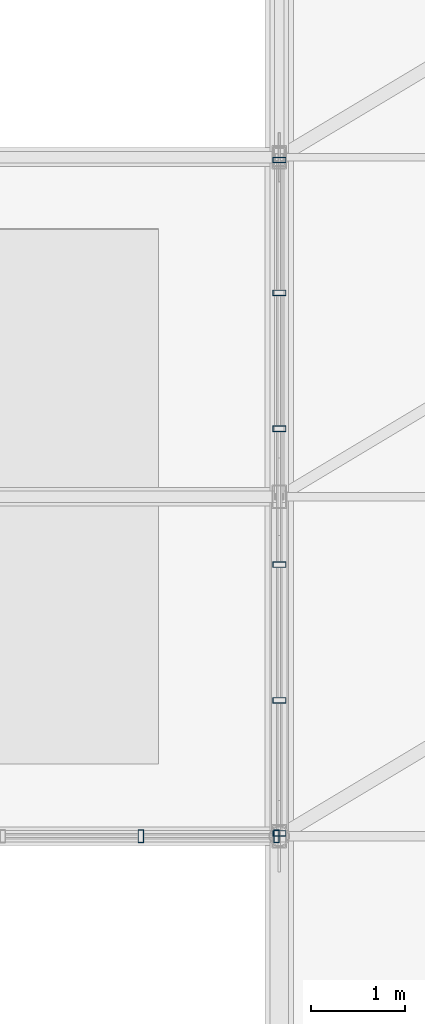
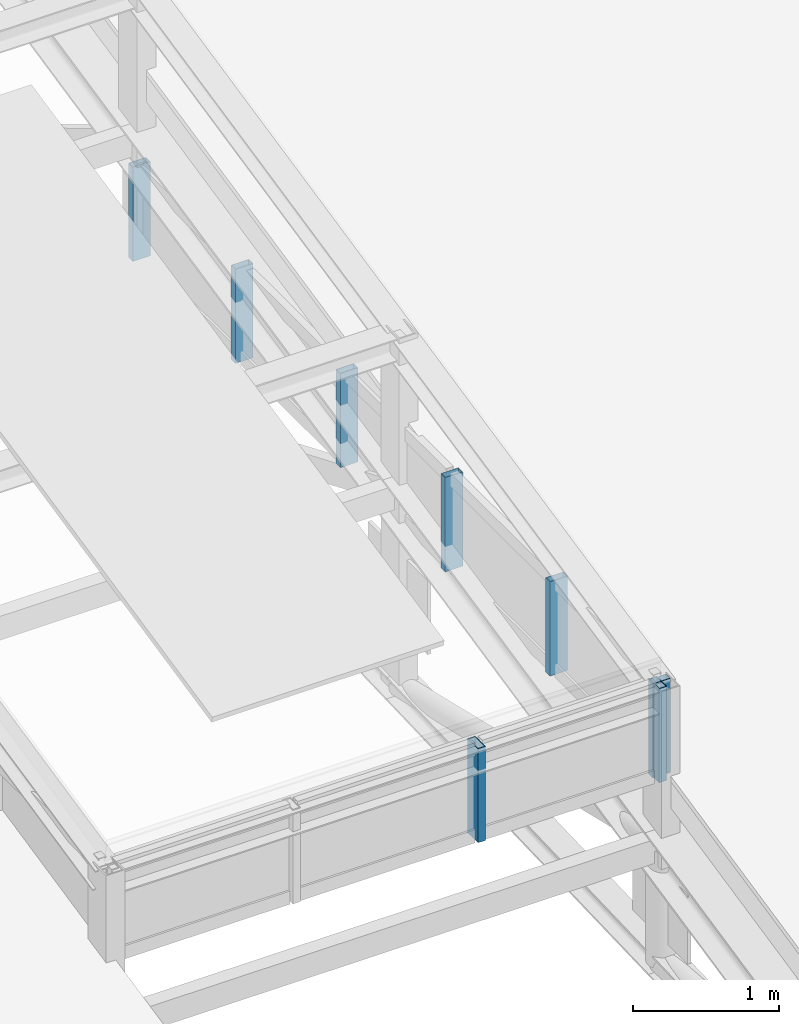
# One storey, part 75 of 124: 8 members, 2 elements without a shape of their own.
"""IFC4 building model written with IfcOpenShell, lengths in metres."""

import ifcopenshell
import ifcopenshell.guid

model = None  # the IFC model being written
_history = None  # IfcOwnerHistory: only IFC2X3 demands one
_inside = {}  # id of a spatial element -> (the spatial element, [elements in it])
_under = {}  # id of a project, library or spatial element -> (it, [spatial elements below it])
_declared = {}  # id of a project -> (the project, [libraries it declares])
_typed = {}  # id of a type object -> (the type object, [elements of that type])
_made_of = {}  # id of a material, layer set ... -> (it, [elements and type objects made of it])


def new_model(schema):
    """Start an empty IFC model of exactly this schema.

    Asked for "IFC4X3", IfcOpenShell would pick the latest addendum, in which some entities
    have other attributes; the version numbers below select the first issue.
    IFC2X3 requires an IfcOwnerHistory on every rooted entity: one is made here for all.
    """
    global model, _history
    if schema == "IFC4X3":
        model = ifcopenshell.file(schema_version=(4, 3, 0, 0))
    else:
        model = ifcopenshell.file(schema=schema)
    _inside.clear()
    _under.clear()
    _declared.clear()
    _typed.clear()
    _made_of.clear()
    _history = None
    if model.schema == "IFC2X3":
        org = make("IfcOrganization", Name="unknown")
        user = make(
            "IfcPersonAndOrganization",
            ThePerson=make("IfcPerson", FamilyName="unknown"),
            TheOrganization=org,
        )
        app = make(
            "IfcApplication",
            ApplicationDeveloper=org,
            Version="unknown",
            ApplicationFullName="unknown",
            ApplicationIdentifier="unknown",
        )
        _history = make(
            "IfcOwnerHistory",
            OwningUser=user,
            OwningApplication=app,
            ChangeAction="ADDED",
            CreationDate=0,
        )
    return model


def make(cls, **values):
    """One entity of the class cls with the attributes given. An attribute that is None is left unset."""
    return model.create_entity(
        cls, **{name: value for name, value in values.items() if value is not None}
    )


def rooted(cls, **values):
    """An entity with a GlobalId (a new one), such as an element, a storey or a relation."""
    return make(cls, GlobalId=ifcopenshell.guid.new(), OwnerHistory=_history, **values)


def si_unit(unit_type, name, prefix=None):
    """IfcSIUnit, for example si_unit("LENGTHUNIT", "METRE", prefix="MILLI")."""
    return make("IfcSIUnit", UnitType=unit_type, Prefix=prefix, Name=name)


def assignment(units):
    """IfcUnitAssignment: the units of a project."""
    return None if units is None else make("IfcUnitAssignment", Units=units)


def point(xyz):
    """IfcCartesianPoint."""
    return None if xyz is None else make("IfcCartesianPoint", Coordinates=xyz)


def direction(xyz):
    """IfcDirection."""
    return None if xyz is None else make("IfcDirection", DirectionRatios=xyz)


def frame(location, z_axis=None, x_axis=None):
    """IfcAxis2Placement3D, a coordinate frame: its origin and axes. An axis left out is left unset."""
    return make(
        "IfcAxis2Placement3D",
        Location=point(location),
        Axis=direction(z_axis),
        RefDirection=direction(x_axis),
    )


def frame_2d(location, x_axis=None):
    """IfcAxis2Placement2D, a coordinate frame in the plane: its origin and x axis."""
    return make(
        "IfcAxis2Placement2D", Location=point(location), RefDirection=direction(x_axis)
    )


def origin():
    """The frame at (0, 0, 0) with its axes left unset."""
    return frame((0.0, 0.0, 0.0))


def origin_2d():
    """The frame at (0, 0) in the plane with its x axis left unset."""
    return frame_2d((0.0, 0.0))


def place(relative_to, where):
    """IfcLocalPlacement: puts the frame where relative to a parent placement (None: the world)."""
    return make(
        "IfcLocalPlacement", PlacementRelTo=relative_to, RelativePlacement=where
    )


def context(
    kind, dimensions, precision=None, world=None, true_north=None, identifier=None
):
    """IfcGeometricRepresentationContext, for example the 3D "Model" context."""
    return make(
        "IfcGeometricRepresentationContext",
        ContextIdentifier=identifier,
        ContextType=kind,
        CoordinateSpaceDimension=dimensions,
        Precision=precision,
        WorldCoordinateSystem=world,
        TrueNorth=true_north,
    )


def subcontext(parent, identifier, kind, view, scale=None):
    """IfcGeometricRepresentationSubContext, for example "Body" below "Model"."""
    return make(
        "IfcGeometricRepresentationSubContext",
        ContextIdentifier=identifier,
        ContextType=kind,
        ParentContext=parent,
        TargetScale=scale,
        TargetView=view,
    )


def project(units=None, contexts=None):
    """IfcProject with its units and contexts."""
    return rooted(
        "IfcProject",
        Name="project",
        RepresentationContexts=contexts,
        UnitsInContext=assignment(units),
    )


def spatial(cls, under=None, at=None, **own):
    """A site, building, storey or space (cls), placed at a placement, below another one or the project."""
    s = rooted(cls, ObjectPlacement=at, **own)
    if under is not None:
        _under.setdefault(under.id(), (under, []))[1].append(s)
    return s


def profile(cls, at=None, kind="AREA", **sizes):
    """A parametric profile (cls). Its sizes go by their IFC names, for example OverallWidth=200.0."""
    return make(cls, ProfileType=kind, Position=at, **sizes)


def hollow_rectangle(**sizes):
    """IfcRectangleHollowProfileDef."""
    return profile("IfcRectangleHollowProfileDef", **sizes)


def extrude(swept, where, along, depth):
    """IfcExtrudedAreaSolid: the profile swept, set in the frame where, extruded along a direction by depth."""
    return make(
        "IfcExtrudedAreaSolid",
        SweptArea=swept,
        Position=where,
        ExtrudedDirection=direction(along),
        Depth=depth,
    )


def shape(context_of_items, identifier, shape_type, items):
    """IfcShapeRepresentation: the items that make up one representation, for example the "Body"."""
    return make(
        "IfcShapeRepresentation",
        ContextOfItems=context_of_items,
        RepresentationIdentifier=identifier,
        RepresentationType=shape_type,
        Items=items,
    )


def material(Name=None, Category=None):
    """IfcMaterial."""
    return make("IfcMaterial", Name=Name, Category=Category)


def layer(
    of_material, thickness, ventilated=None, Name=None, Category=None, Priority=None
):
    """IfcMaterialLayer: one layer of a wall or slab, of a material (None: an air gap)."""
    return make(
        "IfcMaterialLayer",
        Material=of_material,
        LayerThickness=thickness,
        IsVentilated=ventilated,
        Name=Name,
        Category=Category,
        Priority=Priority,
    )


def layer_set(layers, Name=None):
    """IfcMaterialLayerSet."""
    return make("IfcMaterialLayerSet", MaterialLayers=layers, LayerSetName=Name)


def material_profile(
    of_material, cross_section, Name=None, Category=None, Priority=None
):
    """IfcMaterialProfile: a cross section and its material."""
    return make(
        "IfcMaterialProfile",
        Name=Name,
        Material=of_material,
        Profile=cross_section,
        Priority=Priority,
        Category=Category,
    )


def profile_set(profiles, Name=None, composite=None):
    """IfcMaterialProfileSet."""
    return make(
        "IfcMaterialProfileSet",
        Name=Name,
        MaterialProfiles=profiles,
        CompositeProfile=composite,
    )


def made_of(thing, what):
    """Note that an element or type object is made of a material, layer set ...; save() writes the relation."""
    if what is not None:
        _made_of.setdefault(what.id(), (what, []))[1].append(thing)
    return thing


def type_object(cls, material=None, **own):
    """A type object (cls), such as IfcWallType, which elements share."""
    return made_of(rooted(cls, **own), material)


def element(
    cls,
    number,
    at=None,
    inside=None,
    cuts=None,
    type_object=None,
    material=None,
    context=None,
    identifier="Body",
    shape_type=None,
    held_by="IfcProductDefinitionShape",
    body=None,
    shapes=None,
    **own,
):
    """One element of the class cls, such as IfcWall. Its Tag is "e" and its number.

    at: its placement. inside: the storey or other place that contains it. cuts: it is an
    opening in that element (IfcRelVoidsElement). A single representation is given by context,
    identifier, shape_type and body (its items); several are given by shapes. held_by: the class
    of the entity that holds the representations. save() writes the other relations.
    """
    e = rooted(cls, Tag="e%d" % number, ObjectPlacement=at, **own)
    if body is not None:
        shapes = [shape(context, identifier, shape_type, body)]
    if shapes is not None:
        e.Representation = make(held_by, Representations=shapes)
    if inside is not None:
        _inside.setdefault(inside.id(), (inside, []))[1].append(e)
    if cuts is not None:
        rooted(
            "IfcRelVoidsElement", RelatingBuildingElement=cuts, RelatedOpeningElement=e
        )
    if type_object is not None:
        _typed.setdefault(type_object.id(), (type_object, []))[1].append(e)
    return made_of(e, material)


def aggregate(whole, parts):
    """IfcRelAggregates: a whole, such as a stair, and the parts it consists of."""
    return rooted("IfcRelAggregates", RelatingObject=whole, RelatedObjects=parts)


def save(model, path):
    """Write the relations noted so far, then the file.

    IfcRelAggregates (storeys below a building ...), IfcRelContainedInSpatialStructure (elements
    in a storey), IfcRelDefinesByType, IfcRelAssociatesMaterial and IfcRelDeclares: one each for
    every whole, place, type object, material and project.
    """
    for whole, parts in _under.values():
        aggregate(whole, parts)
    for where, things in _inside.values():
        rooted(
            "IfcRelContainedInSpatialStructure",
            RelatedElements=things,
            RelatingStructure=where,
        )
    for kind, things in _typed.values():
        rooted("IfcRelDefinesByType", RelatedObjects=things, RelatingType=kind)
    for what, things in _made_of.values():
        rooted("IfcRelAssociatesMaterial", RelatedObjects=things, RelatingMaterial=what)
    for by, libraries in _declared.values():
        rooted("IfcRelDeclares", RelatingContext=by, RelatedDefinitions=libraries)
    model.write(path)


model = new_model("IFC4")

# Units and contexts
model_context = context("Model", 3, precision=1e-05, world=origin(), true_north=direction((0.0, 1.0)))
body_context = subcontext(model_context, "Body", "Model", "MODEL_VIEW")
ifc_project = project(units=[si_unit("LENGTHUNIT", "METRE"), si_unit("AREAUNIT", "SQUARE_METRE"), si_unit("VOLUMEUNIT", "CUBIC_METRE"), si_unit("PLANEANGLEUNIT", "RADIAN"), si_unit("MASSUNIT", "GRAM", prefix="KILO"), si_unit("THERMODYNAMICTEMPERATUREUNIT", "KELVIN"), si_unit("POWERUNIT", "WATT")], contexts=[model_context])

# Site, building, storey
site_placement = place(None, origin())
site = spatial("IfcSite", under=ifc_project, at=site_placement, CompositionType="ELEMENT")
building_placement = place(site_placement, origin())
building = spatial("IfcBuilding", under=site, at=building_placement, Name="Tavuni Mirador Residences", CompositionType="ELEMENT")
storey_placement = place(building_placement, frame((0.0, 0.0, 7.64990234375)))
storey = spatial("IfcBuildingStorey", under=building, at=storey_placement, Name="L02", CompositionType="ELEMENT", Elevation=7.64990234375)

# Curtain wall, members
ifc_material = material(Name="Anodised aluminium", Category="aluminium")
ifc_layer = layer(ifc_material, 0.199951171875, Name="Anodised aluminium", Category="aluminium")
ifc_layer_set = layer_set([ifc_layer], Name="Anodised aluminium")
curtain_wall_type = type_object("IfcCurtainWallType", Name="CWT-HAL-01", PredefinedType="NOTDEFINED", material=ifc_layer_set)
curtain_wall_1_placement = place(storey_placement, origin())
curtain_wall_1 = element("IfcCurtainWall", 1, at=curtain_wall_1_placement, inside=storey, type_object=curtain_wall_type, Name="CW-HALL-MON-S3-E", PredefinedType="NOTDEFINED")
ifc_material_profile = material_profile(ifc_material, hollow_rectangle(XDim=0.06005859375, YDim=0.139892578125, WallThickness=0.00390625, at=origin_2d()), Name="ALU 60x140x4.0", Category="aluminium")
ifc_profile_set = profile_set([ifc_material_profile], Name="Anodised aluminium")
member_type = type_object("IfcMemberType", Name="CWM-140", PredefinedType="MULLION", material=ifc_profile_set)
member_1_placement = place(storey_placement, frame((68.39990234375, 75.6298828125, 1.175048828125), z_axis=(0.0, 0.0, 1.0), x_axis=(0.0, 1.0, 0.0)))
member_1 = element("IfcMember", 2, at=member_1_placement, type_object=member_type, Name="CW-06 mullion 1", PredefinedType="MULLION", context=body_context, shape_type="SweptSolid", body=[
    extrude(hollow_rectangle(XDim=0.06005859375, YDim=0.139892578125, WallThickness=0.00390625, at=origin_2d()), origin(), (0.0, 0.0, 1.0), 0.7900390625),
])
member_2_placement = place(storey_placement, frame((68.39990234375, 77.0400390625, 1.175048828125), z_axis=(0.0, 0.0, 1.0), x_axis=(0.0, 1.0, 0.0)))
member_2 = element("IfcMember", 3, at=member_2_placement, type_object=member_type, Name="CW-06 mullion 2", PredefinedType="MULLION", context=body_context, shape_type="SweptSolid", body=[
    extrude(hollow_rectangle(XDim=0.06005859375, YDim=0.139892578125, WallThickness=0.00390625, at=origin_2d()), origin(), (0.0, 0.0, 1.0), 0.7900390625),
])
member_3_placement = place(storey_placement, frame((68.39990234375, 78.47998046875, 1.175048828125), z_axis=(0.0, 0.0, 1.0), x_axis=(0.0, 1.0, 0.0)))
member_3 = element("IfcMember", 4, at=member_3_placement, type_object=member_type, Name="CW-06 mullion 3", PredefinedType="MULLION", context=body_context, shape_type="SweptSolid", body=[
    extrude(hollow_rectangle(XDim=0.06005859375, YDim=0.139892578125, WallThickness=0.00390625, at=origin_2d()), origin(), (0.0, 0.0, 1.0), 0.7900390625),
])
member_4_placement = place(storey_placement, frame((68.39990234375, 79.919921875, 1.175048828125), z_axis=(0.0, 0.0, 1.0), x_axis=(0.0, 1.0, 0.0)))
member_4 = element("IfcMember", 5, at=member_4_placement, type_object=member_type, Name="CW-06 mullion 4", PredefinedType="MULLION", context=body_context, shape_type="SweptSolid", body=[
    extrude(hollow_rectangle(XDim=0.06005859375, YDim=0.139892578125, WallThickness=0.00390625, at=origin_2d()), origin(), (0.0, 0.0, 1.0), 0.7900390625),
])
member_5_placement = place(storey_placement, frame((68.39990234375, 81.360107421875, 1.175048828125), z_axis=(0.0, 0.0, 1.0), x_axis=(0.0, 1.0, 0.0)))
member_5 = element("IfcMember", 6, at=member_5_placement, type_object=member_type, Name="CW-06 mullion 5", PredefinedType="MULLION", context=body_context, shape_type="SweptSolid", body=[
    extrude(hollow_rectangle(XDim=0.06005859375, YDim=0.139892578125, WallThickness=0.00390625, at=origin_2d()), origin(), (0.0, 0.0, 1.0), 0.7900390625),
])
member_6_placement = place(storey_placement, frame((68.39990234375, 82.77001953125, 1.175048828125), z_axis=(0.0, 0.0, 1.0), x_axis=(0.0, 1.0, 0.0)))
member_6 = element("IfcMember", 7, at=member_6_placement, type_object=member_type, Name="CW-06 mullion 6", PredefinedType="MULLION", context=body_context, shape_type="SweptSolid", body=[
    extrude(hollow_rectangle(XDim=0.06005859375, YDim=0.139892578125, WallThickness=0.00390625, at=origin_2d()), origin(), (0.0, 0.0, 1.0), 0.7900390625),
])
aggregate(curtain_wall_1, [member_1, member_2, member_3, member_4, member_5, member_6])

curtain_wall_2_placement = place(storey_placement, origin())
curtain_wall_2 = element("IfcCurtainWall", 8, at=curtain_wall_2_placement, inside=storey, type_object=curtain_wall_type, Name="CW-HALL-MON-S3-END", PredefinedType="NOTDEFINED")
member_7_placement = place(storey_placement, frame((66.933349609375, 75.60009765625, 1.175048828125), z_axis=(0.0, 0.0, 1.0), x_axis=(1.0, 0.0, 0.0)))
member_7 = element("IfcMember", 9, at=member_7_placement, type_object=member_type, Name="CW-06 mullion 3", PredefinedType="MULLION", context=body_context, shape_type="SweptSolid", body=[
    extrude(hollow_rectangle(XDim=0.06005859375, YDim=0.139892578125, WallThickness=0.00390625, at=origin_2d()), origin(), (0.0, 0.0, 1.0), 0.7900390625),
])
member_8_placement = place(storey_placement, frame((68.3701171875, 75.60009765625, 1.175048828125), z_axis=(0.0, 0.0, 1.0), x_axis=(1.0, 0.0, 0.0)))
member_8 = element("IfcMember", 10, at=member_8_placement, type_object=member_type, Name="CW-06 mullion 4", PredefinedType="MULLION", context=body_context, shape_type="SweptSolid", body=[
    extrude(hollow_rectangle(XDim=0.06005859375, YDim=0.139892578125, WallThickness=0.00390625, at=origin_2d()), origin(), (0.0, 0.0, 1.0), 0.7900390625),
])
aggregate(curtain_wall_2, [member_7, member_8])

save(model, "model.ifc")
